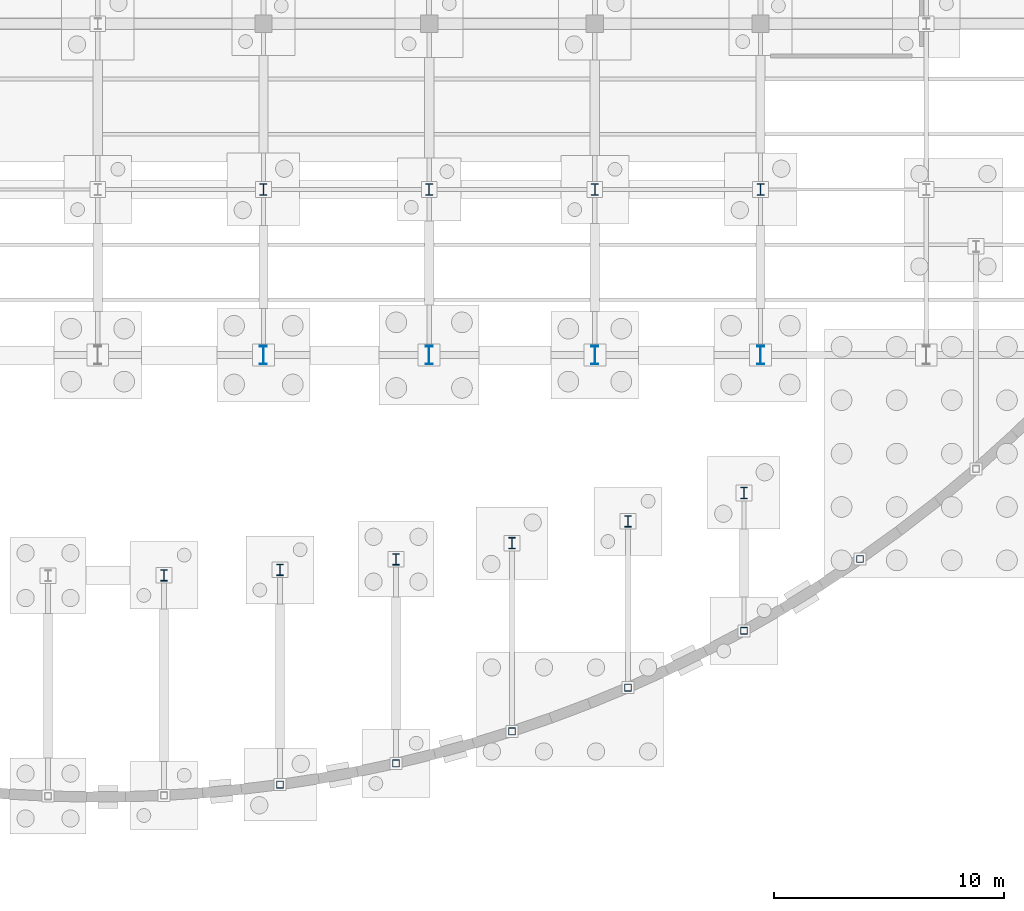
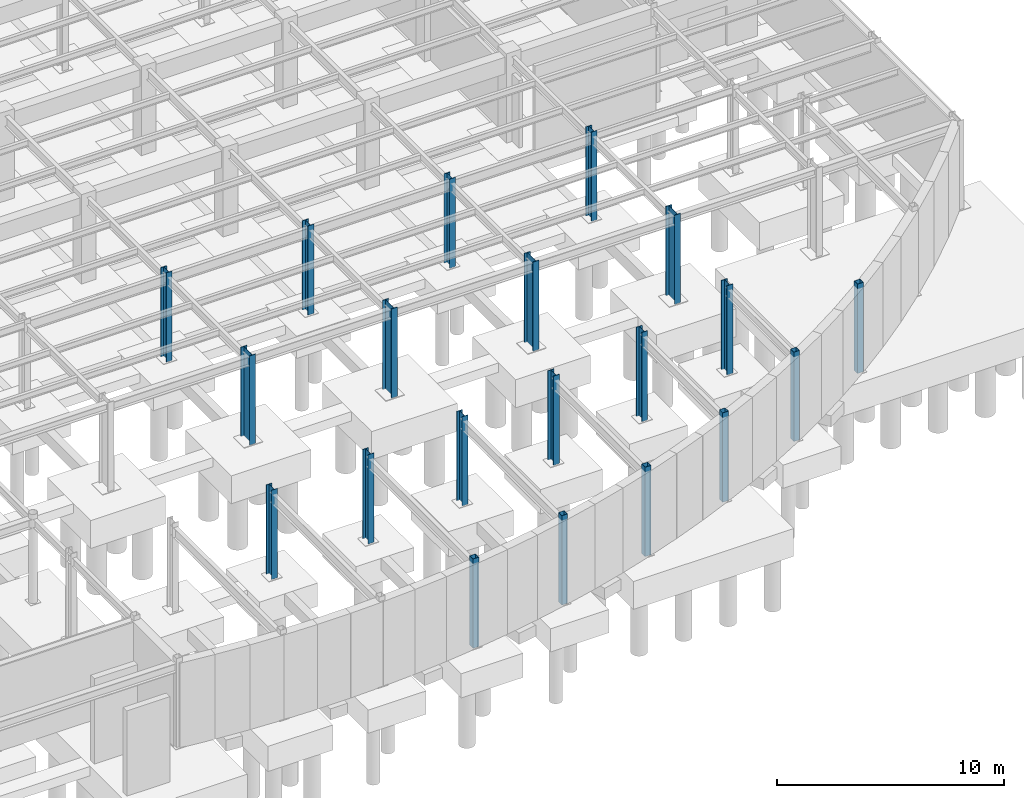
# One storey, part 20 of 64: 20 columns.
"""IFC4 building model written with IfcOpenShell, lengths in metres."""

from ifc_helpers import new_model, si_unit, direction, frame, origin, origin_2d, place, context, subcontext, project, spatial, hollow_rectangle, i_section, extrude, material, material_profile, profile_set, type_object, element, save


model = new_model("IFC4")

# Units and contexts
model_context = context("Model", 3, precision=1e-05, world=origin(), true_north=direction((0.0, 1.0)))
body_context = subcontext(model_context, "Body", "Model", "MODEL_VIEW")
ifc_project = project(units=[si_unit("LENGTHUNIT", "METRE"), si_unit("AREAUNIT", "SQUARE_METRE"), si_unit("VOLUMEUNIT", "CUBIC_METRE"), si_unit("PLANEANGLEUNIT", "RADIAN"), si_unit("MASSUNIT", "GRAM", prefix="KILO")], contexts=[model_context])

# Site, building, storey
site_placement = place(None, origin())
site = spatial("IfcSite", under=ifc_project, at=site_placement, CompositionType="ELEMENT")
building_placement = place(site_placement, origin())
building = spatial("IfcBuilding", under=site, at=building_placement, Name="Solvadek Multi-Sports Hall", CompositionType="ELEMENT")
storey_placement = place(building_placement, frame((0.0, 0.0, -4.800048828125)))
storey = spatial("IfcBuildingStorey", under=building, at=storey_placement, Name="B1", CompositionType="ELEMENT", Elevation=-4.800048828125)

# Columns
ifc_material = material(Name="Steel E350 (350 MPa)", Category="steel")
ifc_material_profile_1 = material_profile(ifc_material, hollow_rectangle(XDim=0.300048828125, YDim=0.300048828125, WallThickness=0.012451171875, at=origin_2d()), Name="SHS 300x300x12.5")
ifc_profile_set_1 = profile_set([ifc_material_profile_1], Name="Steel E350 (350 MPa)")
column_type_1 = type_object("IfcColumnType", Name="STR-COL-SHS300", PredefinedType="COLUMN", material=ifc_profile_set_1)
for number, where, z_axis, x_axis, name in (
    (1, (101.52001953125, -12.65869140625, 0.0), (0.0, 0.0, 1.0), (1.0, 0.0, 0.0), "B1 Column C-10 #296"),
    (2, (106.56005859375, -11.73876953125, 0.0), (0.0, 0.0, 1.0), (1.0, 0.0, 0.0), "B1 Column C-10 #298"),
    (3, (111.60009765625, -10.346435546875, 0.0), (0.0, 0.0, 1.0), (1.0, 0.0, 0.0), "B1 Column C-10 #300"),
    (4, (116.639892578125, -8.4453125, 0.0), (0.0, 0.0, 1.0), (1.0, 0.0, 0.0), "B1 Column C-10 #302"),
    (5, (121.679931640625, -5.97802734375, 0.0), (0.0, 0.0, 1.0), (1.0, 0.0, 0.0), "B1 Column C-10 #304"),
    (6, (126.719970703125, -2.857177734375, 0.0), (0.0, 0.0, 1.0), (1.0, 0.0, 0.0), "B1 Column C-10 #306"),
):
    element("IfcColumn", number, at=place(storey_placement, frame(where, z_axis=z_axis, x_axis=x_axis)), inside=storey, type_object=column_type_1, Name=name, PredefinedType="COLUMN", context=body_context, shape_type="SweptSolid", body=[
        extrude(hollow_rectangle(XDim=0.300048828125, YDim=0.300048828125, WallThickness=0.012451171875, at=origin_2d()), origin(), (0.0, 0.0, 1.0), 4.800048828125),
    ])
ifc_material_profile_2 = material_profile(ifc_material, i_section(OverallWidth=0.300048828125, OverallDepth=0.5, WebThickness=0.014404296875, FlangeThickness=0.028076171875, at=origin_2d()), Name="WPB 500")
ifc_profile_set_2 = profile_set([ifc_material_profile_2], Name="Steel E350 (350 MPa)")
column_type_2 = type_object("IfcColumnType", Name="STR-COL-WPB500", PredefinedType="COLUMN", material=ifc_profile_set_2)
for number, where, z_axis, x_axis, name in (
    (7, (100.800048828125, 13.199951171875, 0.0), (0.0, 0.0, 1.0), (1.0, 0.0, 0.0), "B1 Column C-05 #199"),
    (8, (108.0, 13.199951171875, 0.0), (0.0, 0.0, 1.0), (1.0, 0.0, 0.0), "B1 Column C-05 #207"),
    (9, (115.199951171875, 13.199951171875, 0.0), (0.0, 0.0, 1.0), (1.0, 0.0, 0.0), "B1 Column C-05 #215"),
    (10, (122.39990234375, 13.199951171875, 0.0), (0.0, 0.0, 1.0), (1.0, 0.0, 0.0), "B1 Column C-05 #223"),
    (11, (96.47998046875, -3.564453125, 0.0), (0.0, 0.0, 1.0), (1.0, 0.0, 0.0), "B1 Column C-05 #295"),
    (12, (101.52001953125, -3.329345703125, 0.0), (0.0, 0.0, 1.0), (1.0, 0.0, 0.0), "B1 Column C-05 #297"),
    (13, (106.56005859375, -2.869384765625, 0.0), (0.0, 0.0, 1.0), (1.0, 0.0, 0.0), "B1 Column C-05 #299"),
    (14, (111.60009765625, -2.17333984375, 0.0), (0.0, 0.0, 1.0), (1.0, 0.0, 0.0), "B1 Column C-05 #301"),
    (15, (116.639892578125, -1.22265625, 0.0), (0.0, 0.0, 1.0), (1.0, 0.0, 0.0), "B1 Column C-05 #303"),
    (16, (121.679931640625, 0.010986328125, 0.0), (0.0, 0.0, 1.0), (1.0, 0.0, 0.0), "B1 Column C-05 #305"),
):
    element("IfcColumn", number, at=place(storey_placement, frame(where, z_axis=z_axis, x_axis=x_axis)), inside=storey, type_object=column_type_2, Name=name, PredefinedType="COLUMN", context=body_context, shape_type="SweptSolid", body=[
        extrude(i_section(OverallWidth=0.300048828125, OverallDepth=0.5, WebThickness=0.014404296875, FlangeThickness=0.028076171875, at=origin_2d()), origin(), (0.0, 0.0, 1.0), 4.800048828125),
    ])
ifc_material_profile_3 = material_profile(ifc_material, i_section(OverallWidth=0.300048828125, OverallDepth=0.800048828125, WebThickness=0.017578125, FlangeThickness=0.032958984375, at=origin_2d()), Name="WPB 800")
ifc_profile_set_3 = profile_set([ifc_material_profile_3], Name="Steel E350 (350 MPa)")
column_type_3 = type_object("IfcColumnType", Name="STR-COL-WPB800", PredefinedType="COLUMN", material=ifc_profile_set_3)
for number, where, z_axis, x_axis, name in (
    (17, (100.800048828125, 6.0, 0.0), (0.0, 0.0, 1.0), (1.0, 0.0, 0.0), "B1 Column C-01 #198"),
    (18, (108.0, 6.0, 0.0), (0.0, 0.0, 1.0), (1.0, 0.0, 0.0), "B1 Column C-01 #206"),
    (19, (115.199951171875, 6.0, 0.0), (0.0, 0.0, 1.0), (1.0, 0.0, 0.0), "B1 Column C-01 #214"),
    (20, (122.39990234375, 6.0, 0.0), (0.0, 0.0, 1.0), (1.0, 0.0, 0.0), "B1 Column C-01 #222"),
):
    element("IfcColumn", number, at=place(storey_placement, frame(where, z_axis=z_axis, x_axis=x_axis)), inside=storey, type_object=column_type_3, Name=name, PredefinedType="COLUMN", context=body_context, shape_type="SweptSolid", body=[
        extrude(i_section(OverallWidth=0.300048828125, OverallDepth=0.800048828125, WebThickness=0.017578125, FlangeThickness=0.032958984375, at=origin_2d()), origin(), (0.0, 0.0, 1.0), 4.800048828125),
    ])

save(model, "model.ifc")
